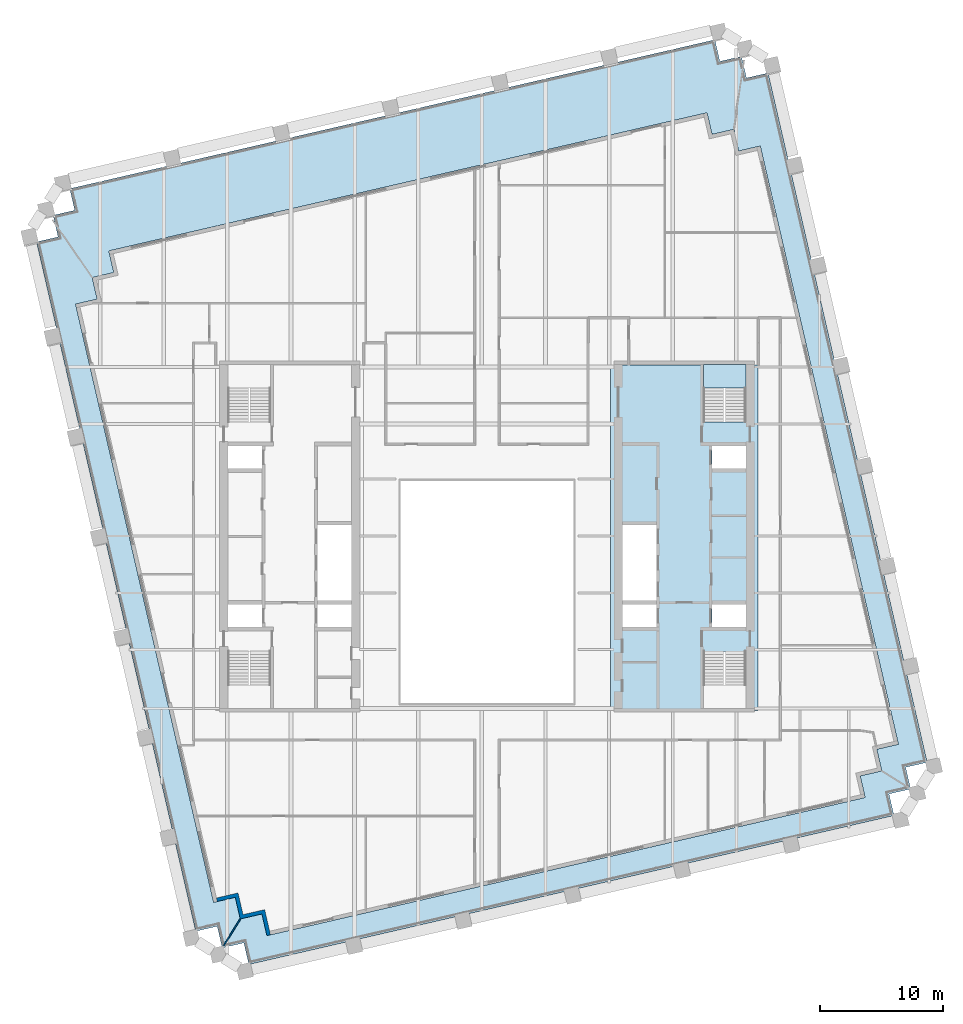
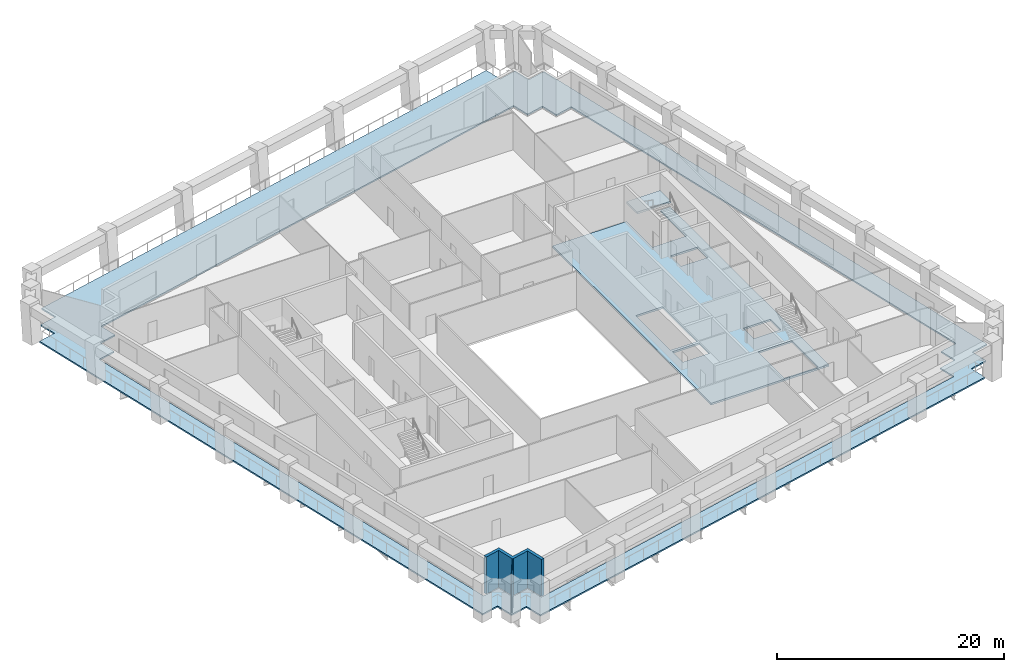
# One storey, part 3 of 11: 3 slabs, 2 walls, 1 element without a shape of its own.
"""IFC4 building model written with IfcOpenShell, lengths in metres."""

import ifcopenshell
import ifcopenshell.guid

model = None  # the IFC model being written
_history = None  # IfcOwnerHistory: only IFC2X3 demands one
_inside = {}  # id of a spatial element -> (the spatial element, [elements in it])
_under = {}  # id of a project, library or spatial element -> (it, [spatial elements below it])
_declared = {}  # id of a project -> (the project, [libraries it declares])
_typed = {}  # id of a type object -> (the type object, [elements of that type])
_made_of = {}  # id of a material, layer set ... -> (it, [elements and type objects made of it])


def new_model(schema):
    """Start an empty IFC model of exactly this schema.

    Asked for "IFC4X3", IfcOpenShell would pick the latest addendum, in which some entities
    have other attributes; the version numbers below select the first issue.
    IFC2X3 requires an IfcOwnerHistory on every rooted entity: one is made here for all.
    """
    global model, _history
    if schema == "IFC4X3":
        model = ifcopenshell.file(schema_version=(4, 3, 0, 0))
    else:
        model = ifcopenshell.file(schema=schema)
    _inside.clear()
    _under.clear()
    _declared.clear()
    _typed.clear()
    _made_of.clear()
    _history = None
    if model.schema == "IFC2X3":
        org = make("IfcOrganization", Name="unknown")
        user = make(
            "IfcPersonAndOrganization",
            ThePerson=make("IfcPerson", FamilyName="unknown"),
            TheOrganization=org,
        )
        app = make(
            "IfcApplication",
            ApplicationDeveloper=org,
            Version="unknown",
            ApplicationFullName="unknown",
            ApplicationIdentifier="unknown",
        )
        _history = make(
            "IfcOwnerHistory",
            OwningUser=user,
            OwningApplication=app,
            ChangeAction="ADDED",
            CreationDate=0,
        )
    return model


def make(cls, **values):
    """One entity of the class cls with the attributes given. An attribute that is None is left unset."""
    return model.create_entity(
        cls, **{name: value for name, value in values.items() if value is not None}
    )


def rooted(cls, **values):
    """An entity with a GlobalId (a new one), such as an element, a storey or a relation."""
    return make(cls, GlobalId=ifcopenshell.guid.new(), OwnerHistory=_history, **values)


def si_unit(unit_type, name, prefix=None):
    """IfcSIUnit, for example si_unit("LENGTHUNIT", "METRE", prefix="MILLI")."""
    return make("IfcSIUnit", UnitType=unit_type, Prefix=prefix, Name=name)


def assignment(units):
    """IfcUnitAssignment: the units of a project."""
    return None if units is None else make("IfcUnitAssignment", Units=units)


def point(xyz):
    """IfcCartesianPoint."""
    return None if xyz is None else make("IfcCartesianPoint", Coordinates=xyz)


def direction(xyz):
    """IfcDirection."""
    return None if xyz is None else make("IfcDirection", DirectionRatios=xyz)


def frame(location, z_axis=None, x_axis=None):
    """IfcAxis2Placement3D, a coordinate frame: its origin and axes. An axis left out is left unset."""
    return make(
        "IfcAxis2Placement3D",
        Location=point(location),
        Axis=direction(z_axis),
        RefDirection=direction(x_axis),
    )


def frame_2d(location, x_axis=None):
    """IfcAxis2Placement2D, a coordinate frame in the plane: its origin and x axis."""
    return make(
        "IfcAxis2Placement2D", Location=point(location), RefDirection=direction(x_axis)
    )


def origin():
    """The frame at (0, 0, 0) with its axes left unset."""
    return frame((0.0, 0.0, 0.0))


def place(relative_to, where):
    """IfcLocalPlacement: puts the frame where relative to a parent placement (None: the world)."""
    return make(
        "IfcLocalPlacement", PlacementRelTo=relative_to, RelativePlacement=where
    )


def context(
    kind, dimensions, precision=None, world=None, true_north=None, identifier=None
):
    """IfcGeometricRepresentationContext, for example the 3D "Model" context."""
    return make(
        "IfcGeometricRepresentationContext",
        ContextIdentifier=identifier,
        ContextType=kind,
        CoordinateSpaceDimension=dimensions,
        Precision=precision,
        WorldCoordinateSystem=world,
        TrueNorth=true_north,
    )


def subcontext(parent, identifier, kind, view, scale=None):
    """IfcGeometricRepresentationSubContext, for example "Body" below "Model"."""
    return make(
        "IfcGeometricRepresentationSubContext",
        ContextIdentifier=identifier,
        ContextType=kind,
        ParentContext=parent,
        TargetScale=scale,
        TargetView=view,
    )


def project(units=None, contexts=None):
    """IfcProject with its units and contexts."""
    return rooted(
        "IfcProject",
        Name="project",
        RepresentationContexts=contexts,
        UnitsInContext=assignment(units),
    )


def spatial(cls, under=None, at=None, **own):
    """A site, building, storey or space (cls), placed at a placement, below another one or the project."""
    s = rooted(cls, ObjectPlacement=at, **own)
    if under is not None:
        _under.setdefault(under.id(), (under, []))[1].append(s)
    return s


def polyline(points):
    """IfcPolyline through the points."""
    return make("IfcPolyline", Points=[point(p) for p in points])


def profile(cls, at=None, kind="AREA", **sizes):
    """A parametric profile (cls). Its sizes go by their IFC names, for example OverallWidth=200.0."""
    return make(cls, ProfileType=kind, Position=at, **sizes)


def rectangle(**sizes):
    """IfcRectangleProfileDef."""
    return profile("IfcRectangleProfileDef", **sizes)


def outline(outer, holes=None, kind="AREA"):
    """IfcArbitraryClosedProfileDef: a profile drawn as a closed curve; with holes, ...WithVoids."""
    if holes is None:
        return make("IfcArbitraryClosedProfileDef", ProfileType=kind, OuterCurve=outer)
    return make(
        "IfcArbitraryProfileDefWithVoids",
        ProfileType=kind,
        OuterCurve=outer,
        InnerCurves=holes,
    )


def extrude(swept, where, along, depth):
    """IfcExtrudedAreaSolid: the profile swept, set in the frame where, extruded along a direction by depth."""
    return make(
        "IfcExtrudedAreaSolid",
        SweptArea=swept,
        Position=where,
        ExtrudedDirection=direction(along),
        Depth=depth,
    )


def shape(context_of_items, identifier, shape_type, items):
    """IfcShapeRepresentation: the items that make up one representation, for example the "Body"."""
    return make(
        "IfcShapeRepresentation",
        ContextOfItems=context_of_items,
        RepresentationIdentifier=identifier,
        RepresentationType=shape_type,
        Items=items,
    )


def material(Name=None, Category=None):
    """IfcMaterial."""
    return make("IfcMaterial", Name=Name, Category=Category)


def layer(
    of_material, thickness, ventilated=None, Name=None, Category=None, Priority=None
):
    """IfcMaterialLayer: one layer of a wall or slab, of a material (None: an air gap)."""
    return make(
        "IfcMaterialLayer",
        Material=of_material,
        LayerThickness=thickness,
        IsVentilated=ventilated,
        Name=Name,
        Category=Category,
        Priority=Priority,
    )


def layer_set(layers, Name=None):
    """IfcMaterialLayerSet."""
    return make("IfcMaterialLayerSet", MaterialLayers=layers, LayerSetName=Name)


def made_of(thing, what):
    """Note that an element or type object is made of a material, layer set ...; save() writes the relation."""
    if what is not None:
        _made_of.setdefault(what.id(), (what, []))[1].append(thing)
    return thing


def type_object(cls, material=None, **own):
    """A type object (cls), such as IfcWallType, which elements share."""
    return made_of(rooted(cls, **own), material)


def element(
    cls,
    number,
    at=None,
    inside=None,
    cuts=None,
    type_object=None,
    material=None,
    context=None,
    identifier="Body",
    shape_type=None,
    held_by="IfcProductDefinitionShape",
    body=None,
    shapes=None,
    **own,
):
    """One element of the class cls, such as IfcWall. Its Tag is "e" and its number.

    at: its placement. inside: the storey or other place that contains it. cuts: it is an
    opening in that element (IfcRelVoidsElement). A single representation is given by context,
    identifier, shape_type and body (its items); several are given by shapes. held_by: the class
    of the entity that holds the representations. save() writes the other relations.
    """
    e = rooted(cls, Tag="e%d" % number, ObjectPlacement=at, **own)
    if body is not None:
        shapes = [shape(context, identifier, shape_type, body)]
    if shapes is not None:
        e.Representation = make(held_by, Representations=shapes)
    if inside is not None:
        _inside.setdefault(inside.id(), (inside, []))[1].append(e)
    if cuts is not None:
        rooted(
            "IfcRelVoidsElement", RelatingBuildingElement=cuts, RelatedOpeningElement=e
        )
    if type_object is not None:
        _typed.setdefault(type_object.id(), (type_object, []))[1].append(e)
    return made_of(e, material)


def aggregate(whole, parts):
    """IfcRelAggregates: a whole, such as a stair, and the parts it consists of."""
    return rooted("IfcRelAggregates", RelatingObject=whole, RelatedObjects=parts)


def save(model, path):
    """Write the relations noted so far, then the file.

    IfcRelAggregates (storeys below a building ...), IfcRelContainedInSpatialStructure (elements
    in a storey), IfcRelDefinesByType, IfcRelAssociatesMaterial and IfcRelDeclares: one each for
    every whole, place, type object, material and project.
    """
    for whole, parts in _under.values():
        aggregate(whole, parts)
    for where, things in _inside.values():
        rooted(
            "IfcRelContainedInSpatialStructure",
            RelatedElements=things,
            RelatingStructure=where,
        )
    for kind, things in _typed.values():
        rooted("IfcRelDefinesByType", RelatedObjects=things, RelatingType=kind)
    for what, things in _made_of.values():
        rooted("IfcRelAssociatesMaterial", RelatedObjects=things, RelatingMaterial=what)
    for by, libraries in _declared.values():
        rooted("IfcRelDeclares", RelatingContext=by, RelatedDefinitions=libraries)
    model.write(path)


model = new_model("IFC4")

# Units and contexts
model_context = context("Model", 3, precision=1e-05, world=origin(), true_north=direction((0.0, 1.0)))
body_context = subcontext(model_context, "Body", "Model", "MODEL_VIEW")
ifc_project = project(units=[si_unit("LENGTHUNIT", "METRE"), si_unit("AREAUNIT", "SQUARE_METRE"), si_unit("VOLUMEUNIT", "CUBIC_METRE"), si_unit("PLANEANGLEUNIT", "RADIAN"), si_unit("MASSUNIT", "GRAM", prefix="KILO")], contexts=[model_context])

# Site, building, storey
site_placement = place(None, origin())
site = spatial("IfcSite", under=ifc_project, at=site_placement, CompositionType="ELEMENT")
building_placement = place(site_placement, origin())
building = spatial("IfcBuilding", under=site, at=building_placement, Name="Ogive Exchange Tower", CompositionType="ELEMENT")
storey_placement = place(building_placement, frame((0.0, 0.0, 209.39990234375)))
storey = spatial("IfcBuildingStorey", under=building, at=storey_placement, Name="L46", CompositionType="ELEMENT", Elevation=209.39990234375)

# Slabs
ifc_material_1 = material(Name="Concrete C70/85", Category="concrete")
ifc_layer_1 = layer(ifc_material_1, 0.199951171875)
ifc_layer_set_1 = layer_set([ifc_layer_1], Name="Core floor slab 200")
slab_type_1 = type_object("IfcSlabType", Name="Core floor slab 200", PredefinedType="FLOOR", material=ifc_layer_set_1)
slab_1_placement = place(storey_placement, frame((0.0, 0.0, -0.199951171875)))
element("IfcSlab", 1, at=slab_1_placement, inside=storey, type_object=slab_type_1, Name="Core floor slab", PredefinedType="FLOOR", context=body_context, shape_type="SweptSolid", body=[
    extrude(outline(polyline([(22.0, 25.39990234375), (22.0, -2.60009765625), (10.0, -2.60009765625), (10.0, 25.39990234375), (17.550048828125, 25.39990234375), (17.550048828125, 20.803955078125), (21.0, 20.803955078125), (21.0, 25.39990234375), (22.0, 25.39990234375)]), holes=[polyline([(21.0, 2.196044921875), (17.550048828125, 2.196044921875), (17.550048828125, -2.449951171875), (21.0, -2.449951171875), (21.0, 2.196044921875)]), polyline([(13.75, 5.992919921875), (11.0, 5.992919921875), (11.0, 4.14990234375), (13.75, 4.14990234375), (13.75, 5.992919921875)]), polyline([(21.0, 5.992919921875), (18.25, 5.992919921875), (18.25, 4.14990234375), (21.0, 4.14990234375), (21.0, 5.992919921875)]), polyline([(11.0, 12.42138671875), (11.0, 6.29296875), (13.75, 6.29296875), (13.75, 12.42138671875), (11.0, 12.42138671875)]), polyline([(21.0, 18.85009765625), (18.25, 18.85009765625), (18.25, 17.007080078125), (21.0, 17.007080078125), (21.0, 18.85009765625)])]), origin(), (0.0, 0.0, 1.0), 0.199951171875),
])
ifc_material_2 = material(Name="Concrete C50/60", Category="concrete")
ifc_layer_2 = layer(ifc_material_2, 0.14990234375)
ifc_layer_set_2 = layer_set([ifc_layer_2], Name="Loggia deck 150")
slab_type_2 = type_object("IfcSlabType", Name="Loggia deck 150", PredefinedType="FLOOR", material=ifc_layer_set_2)
slab_2_placement = place(storey_placement, frame((0.0, 0.0, -0.199951171875)))
element("IfcSlab", 2, at=slab_2_placement, inside=storey, type_object=slab_type_2, Name="Loggia deck", PredefinedType="FLOOR", context=body_context, shape_type="SweptSolid", body=[
    extrude(outline(polyline([(-19.717041015625, -21.45556640625), (-21.470947265625, -21.860595703125), (-21.875732421875, -20.106689453125), (-23.629638671875, -20.51171875), (-36.53759765625, 35.3984375), (-34.78369140625, 35.80322265625), (-35.1884765625, 37.55712890625), (-33.434814453125, 37.962158203125), (-33.839599609375, 39.716064453125), (18.484130859375, 51.7958984375), (18.888916015625, 50.0419921875), (20.642822265625, 50.447021484375), (21.0478515625, 48.693115234375), (22.8017578125, 49.097900390625), (35.70947265625, -6.81201171875), (33.95556640625, -7.217041015625), (34.360595703125, -8.970947265625), (32.606689453125, -9.375732421875), (33.01171875, -11.129638671875), (-19.31201171875, -23.20947265625), (-19.717041015625, -21.45556640625)]), holes=[polyline([(30.26806640625, -7.914306640625), (32.02197265625, -7.509521484375), (31.616943359375, -5.755615234375), (33.370849609375, -5.3505859375), (22.168212890625, 43.1728515625), (20.414306640625, 42.76806640625), (20.009521484375, 44.52197265625), (18.255615234375, 44.116943359375), (17.8505859375, 45.870849609375), (-30.6728515625, 34.668212890625), (-30.26806640625, 32.914306640625), (-32.02197265625, 32.509521484375), (-31.616943359375, 30.755615234375), (-33.370849609375, 30.3505859375), (-22.168212890625, -18.1728515625), (-20.414306640625, -17.76806640625), (-20.009521484375, -19.52197265625), (-18.255615234375, -19.116943359375), (-17.8505859375, -20.870849609375), (30.6728515625, -9.668212890625), (30.26806640625, -7.914306640625)])]), origin(), (0.0, 0.0, 1.0), 0.150146484375),
])

# Stair, slab
ifc_material_3 = material(Name="Concrete C40/50", Category="concrete")
stair_type = type_object("IfcStairType", Name="Exit stair 1650 wide", PredefinedType="HALF_TURN_STAIR", material=ifc_material_3)
stair_placement = place(storey_placement, origin())
stair = element("IfcStair", 3, at=stair_placement, inside=storey, type_object=stair_type, Name="L46 exit stair ST4", PredefinedType="HALF_TURN_STAIR")
ifc_layer_3 = layer(ifc_material_3, 0.199951171875)
ifc_layer_set_3 = layer_set([ifc_layer_3], Name="Stair landing 200 slab")
slab_type_3 = type_object("IfcSlabType", Name="Stair landing 200 slab", PredefinedType="LANDING", material=ifc_layer_set_3)
slab_3_placement = place(storey_placement, frame((0.0, 0.0, 1.900146484375)))
slab_3 = element("IfcSlab", 4, at=slab_3_placement, type_object=slab_type_3, Name="ST4 landing 1", PredefinedType="LANDING", context=body_context, shape_type="SweptSolid", body=[
    extrude(outline(polyline([(21.0, 23.550048828125), (21.0, 25.449951171875), (17.550048828125, 25.449951171875), (17.550048828125, 23.550048828125), (21.0, 23.550048828125)])), origin(), (0.0, 0.0, 1.0), 0.199951171875),
])
aggregate(stair, [slab_3])

# Walls
ifc_material_4 = material(Name="Precast concrete C40/50", Category="concrete")
ifc_layer_4 = layer(ifc_material_4, 0.300048828125)
ifc_layer_set_4 = layer_set([ifc_layer_4], Name="Limestone-faced wall 300")
wall_type_1 = type_object("IfcWallType", Name="Limestone-faced wall 300", PredefinedType="STANDARD", material=ifc_layer_set_4)
wall_1_placement = place(storey_placement, origin())
element("IfcWall", 5, at=wall_1_placement, inside=storey, type_object=wall_type_1, Name="External corner wall C4", PredefinedType="STANDARD", context=body_context, shape_type="SweptSolid", body=[
    extrude(outline(polyline([(-18.255615234375, -19.116943359375), (-20.009521484375, -19.52197265625), (-20.414306640625, -17.76806640625), (-21.8759765625, -18.10546875), (-21.943359375, -17.81298828125), (-20.189697265625, -17.408203125), (-19.78466796875, -19.162109375), (-18.03076171875, -18.757080078125), (-17.558349609375, -20.80322265625), (-17.8505859375, -20.870849609375), (-18.255615234375, -19.116943359375)])), origin(), (0.0, 0.0, 1.0), 4.0),
])
ifc_material_5 = material(Name="Laminated safety glass in steel frame", Category="steel")
ifc_layer_5 = layer(ifc_material_5, 0.10009765625)
ifc_layer_set_5 = layer_set([ifc_layer_5], Name="Loggia end screen 100")
wall_type_2 = type_object("IfcWallType", Name="Loggia end screen 100", PredefinedType="STANDARD", material=ifc_layer_set_5)
wall_2_placement = place(storey_placement, frame((-20.009521484375, -19.52197265625, -0.0498046875), z_axis=(0.0, 0.0, 1.0), x_axis=(-0.529920736377, -0.848047176257, 0.0)))
element("IfcWall", 6, at=wall_2_placement, inside=storey, type_object=wall_type_2, Name="Loggia end screen C4", PredefinedType="STANDARD", context=body_context, shape_type="SweptSolid", body=[
    extrude(rectangle(XDim=2.525634765625, YDim=0.10009765625, at=frame_2d((1.2626953125, 0.0))), origin(), (0.0, 0.0, 1.0), 4.0498046875),
])

save(model, "model.ifc")
